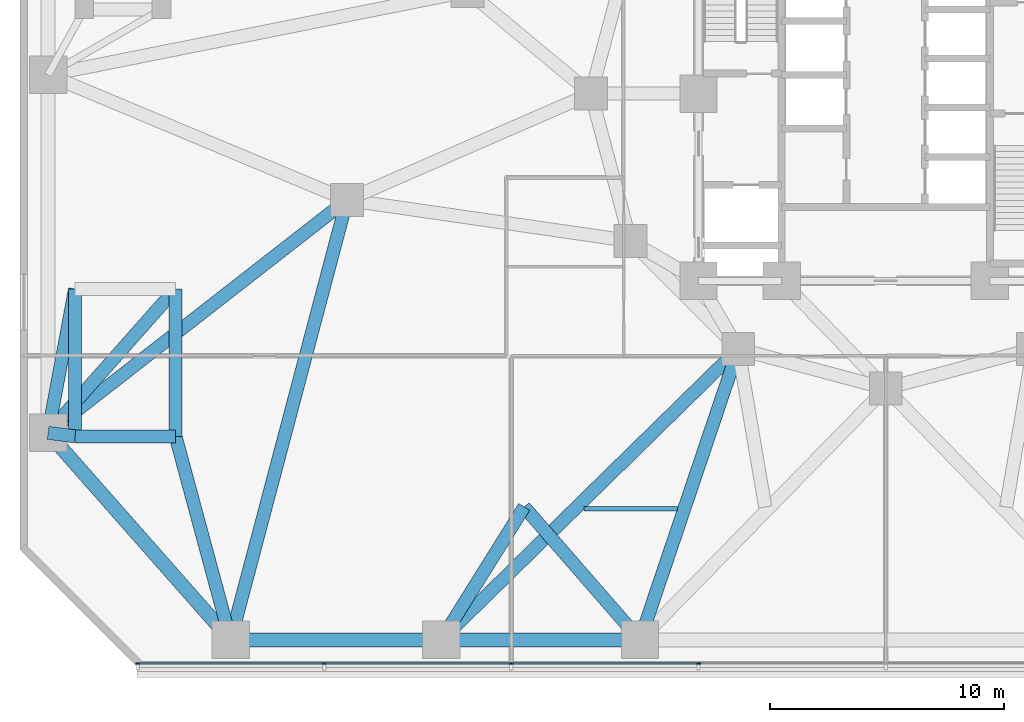
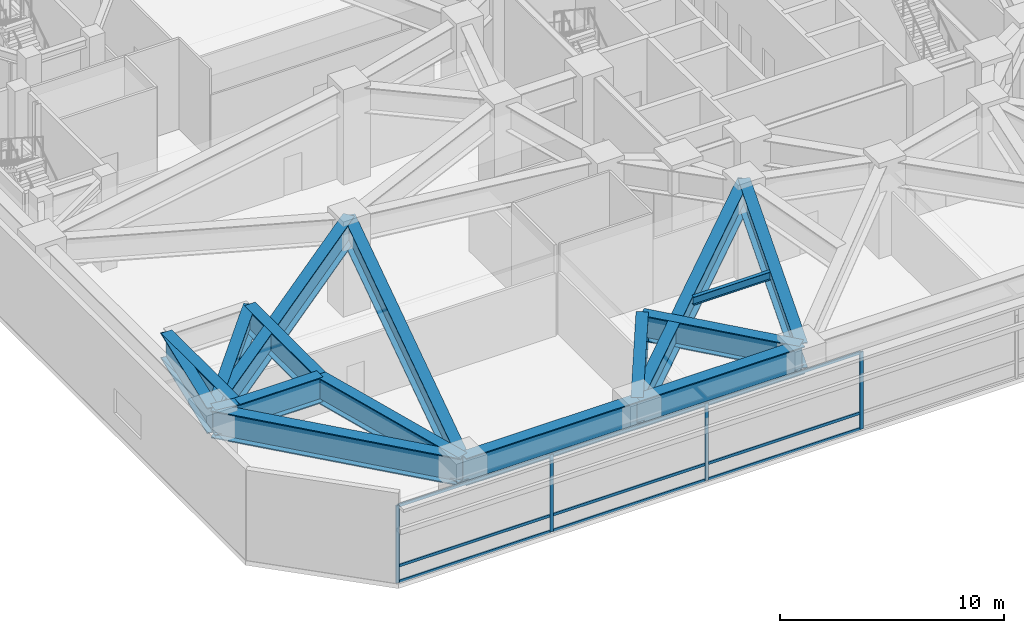
# One storey, part 5 of 27: 17 beams, 13 members, 1 element without a shape of its own.
"""IFC4 building model written with IfcOpenShell, lengths in metres."""

from ifc_helpers import new_model, si_unit, direction, frame, origin, origin_2d, place, context, subcontext, project, spatial, rectangle, i_section, extrude, material, layer, layer_set, material_profile, profile_set, type_object, element, aggregate, save


model = new_model("IFC4")

# Units and contexts
model_context = context("Model", 3, precision=1e-05, world=origin(), true_north=direction((0.0, 1.0)))
body_context = subcontext(model_context, "Body", "Model", "MODEL_VIEW")
ifc_project = project(units=[si_unit("LENGTHUNIT", "METRE"), si_unit("AREAUNIT", "SQUARE_METRE"), si_unit("VOLUMEUNIT", "CUBIC_METRE"), si_unit("PLANEANGLEUNIT", "RADIAN"), si_unit("MASSUNIT", "GRAM", prefix="KILO")], contexts=[model_context])

# Site, building, storey
site_placement = place(None, origin())
site = spatial("IfcSite", under=ifc_project, at=site_placement, CompositionType="ELEMENT")
building_placement = place(site_placement, origin())
building = spatial("IfcBuilding", under=site, at=building_placement, Name="Terralouvre Media Tower", CompositionType="ELEMENT")
storey_placement = place(building_placement, frame((0.0, 0.0, 20.800048828125)))
storey = spatial("IfcBuildingStorey", under=building, at=storey_placement, Name="L04", CompositionType="ELEMENT", Elevation=20.800048828125)

# Beam
ifc_material_1 = material(Name="Structural steel S355J2", Category="steel")
ifc_material_profile_1 = material_profile(ifc_material_1, i_section(OverallWidth=0.18994140625, OverallDepth=0.449951171875, WebThickness=0.009521484375, FlangeThickness=0.0146484375, at=origin_2d()), Name="IPE 450")
ifc_profile_set_1 = profile_set([ifc_material_profile_1], Name="Structural steel S355J2")
beam_type_1 = type_object("IfcBeamType", Name="Composite Floor Joist J-IPE450 (IPE 450)", PredefinedType="JOIST", material=ifc_profile_set_1)
beam_1_placement = place(storey_placement, frame((-12.88671875, -17.7529296875, 4.71484375), z_axis=(1.0, 0.0, 0.0), x_axis=(0.0, 1.0, 0.0)))
element("IfcBeam", 1, at=beam_1_placement, inside=storey, type_object=beam_type_1, Name="L04 Framing Beam JT-L04-03", PredefinedType="JOIST", context=body_context, shape_type="SweptSolid", body=[
    extrude(i_section(OverallWidth=0.18994140625, OverallDepth=0.449951171875, WebThickness=0.009521484375, FlangeThickness=0.0146484375, at=origin_2d()), origin(), (0.0, 0.0, 1.0), 3.983154296875),
])

# Curtain wall, members
ifc_material_2 = material(Name="Low-iron laminated double glazing with solar-control coating", Category="glass")
ifc_layer = layer(ifc_material_2, 0.1650390625, Name="Podium Broadcast Gallery Glazing CW-01")
ifc_layer_set = layer_set([ifc_layer], Name="Low-iron laminated double glazing with solar-control coating")
curtain_wall_type = type_object("IfcCurtainWallType", Name="Podium Broadcast Gallery Glazing CW-01", PredefinedType="NOTDEFINED", material=ifc_layer_set)
curtain_wall_placement = place(storey_placement, origin())
curtain_wall = element("IfcCurtainWall", 2, at=curtain_wall_placement, inside=storey, type_object=curtain_wall_type, Name="L04 Podium Curtain Wall F0", PredefinedType="NOTDEFINED")
ifc_material_3 = material(Name="Anodised extruded aluminium 6063-T6", Category="aluminium")
ifc_material_profile_2 = material_profile(ifc_material_3, rectangle(XDim=0.074951171875, YDim=0.14990234375, at=origin_2d()), Name="ALU 75x150")
ifc_profile_set_2 = profile_set([ifc_material_profile_2], Name="Anodised extruded aluminium 6063-T6")
member_type_1 = type_object("IfcMemberType", Name="Curtain-Wall Horizontal Transom TR-150", PredefinedType="USERDEFINED", material=ifc_profile_set_2)
member_1_placement = place(storey_placement, frame((-31.925048828125, -24.360107421875, 0.037353515625), z_axis=(1.0, 0.0, 0.0), x_axis=(0.0, 1.0, 0.0)))
member_1 = element("IfcMember", 3, at=member_1_placement, type_object=member_type_1, Name="CW-01 transom 1.1", ObjectType="TRANSOM", PredefinedType="USERDEFINED", context=body_context, shape_type="SweptSolid", body=[
    extrude(rectangle(XDim=0.074951171875, YDim=0.14990234375, at=origin_2d()), origin(), (0.0, 0.0, 1.0), 7.887451171875),
])
member_2_placement = place(storey_placement, frame((-31.925048828125, -24.360107421875, 0.89990234375), z_axis=(1.0, 0.0, 0.0), x_axis=(0.0, 1.0, 0.0)))
member_2 = element("IfcMember", 4, at=member_2_placement, type_object=member_type_1, Name="CW-01 transom 1.2", ObjectType="TRANSOM", PredefinedType="USERDEFINED", context=body_context, shape_type="SweptSolid", body=[
    extrude(rectangle(XDim=0.074951171875, YDim=0.14990234375, at=origin_2d()), origin(), (0.0, 0.0, 1.0), 7.887451171875),
])
member_3_placement = place(storey_placement, frame((-31.925048828125, -24.360107421875, 4.182373046875), z_axis=(1.0, 0.0, 0.0), x_axis=(0.0, 1.0, 0.0)))
member_3 = element("IfcMember", 5, at=member_3_placement, type_object=member_type_1, Name="CW-01 transom 1.3", ObjectType="TRANSOM", PredefinedType="USERDEFINED", context=body_context, shape_type="SweptSolid", body=[
    extrude(rectangle(XDim=0.074951171875, YDim=0.14990234375, at=origin_2d()), origin(), (0.0, 0.0, 1.0), 7.887451171875),
])
member_4_placement = place(storey_placement, frame((-23.96240234375, -24.360107421875, 0.037353515625), z_axis=(1.0, 0.0, 0.0), x_axis=(0.0, 1.0, 0.0)))
member_4 = element("IfcMember", 6, at=member_4_placement, type_object=member_type_1, Name="CW-01 transom 2.1", ObjectType="TRANSOM", PredefinedType="USERDEFINED", context=body_context, shape_type="SweptSolid", body=[
    extrude(rectangle(XDim=0.074951171875, YDim=0.14990234375, at=origin_2d()), origin(), (0.0, 0.0, 1.0), 7.9248046875),
])
member_5_placement = place(storey_placement, frame((-23.96240234375, -24.360107421875, 0.89990234375), z_axis=(1.0, 0.0, 0.0), x_axis=(0.0, 1.0, 0.0)))
member_5 = element("IfcMember", 7, at=member_5_placement, type_object=member_type_1, Name="CW-01 transom 2.2", ObjectType="TRANSOM", PredefinedType="USERDEFINED", context=body_context, shape_type="SweptSolid", body=[
    extrude(rectangle(XDim=0.074951171875, YDim=0.14990234375, at=origin_2d()), origin(), (0.0, 0.0, 1.0), 7.9248046875),
])
member_6_placement = place(storey_placement, frame((-23.96240234375, -24.360107421875, 4.182373046875), z_axis=(1.0, 0.0, 0.0), x_axis=(0.0, 1.0, 0.0)))
member_6 = element("IfcMember", 8, at=member_6_placement, type_object=member_type_1, Name="CW-01 transom 2.3", ObjectType="TRANSOM", PredefinedType="USERDEFINED", context=body_context, shape_type="SweptSolid", body=[
    extrude(rectangle(XDim=0.074951171875, YDim=0.14990234375, at=origin_2d()), origin(), (0.0, 0.0, 1.0), 7.9248046875),
])
member_7_placement = place(storey_placement, frame((-15.96240234375, -24.360107421875, 0.037353515625), z_axis=(1.0, 0.0, 0.0), x_axis=(0.0, 1.0, 0.0)))
member_7 = element("IfcMember", 9, at=member_7_placement, type_object=member_type_1, Name="CW-01 transom 3.1", ObjectType="TRANSOM", PredefinedType="USERDEFINED", context=body_context, shape_type="SweptSolid", body=[
    extrude(rectangle(XDim=0.074951171875, YDim=0.14990234375, at=origin_2d()), origin(), (0.0, 0.0, 1.0), 7.9248046875),
])
member_8_placement = place(storey_placement, frame((-15.96240234375, -24.360107421875, 0.89990234375), z_axis=(1.0, 0.0, 0.0), x_axis=(0.0, 1.0, 0.0)))
member_8 = element("IfcMember", 10, at=member_8_placement, type_object=member_type_1, Name="CW-01 transom 3.2", ObjectType="TRANSOM", PredefinedType="USERDEFINED", context=body_context, shape_type="SweptSolid", body=[
    extrude(rectangle(XDim=0.074951171875, YDim=0.14990234375, at=origin_2d()), origin(), (0.0, 0.0, 1.0), 7.9248046875),
])
member_9_placement = place(storey_placement, frame((-15.96240234375, -24.360107421875, 4.182373046875), z_axis=(1.0, 0.0, 0.0), x_axis=(0.0, 1.0, 0.0)))
member_9 = element("IfcMember", 11, at=member_9_placement, type_object=member_type_1, Name="CW-01 transom 3.3", ObjectType="TRANSOM", PredefinedType="USERDEFINED", context=body_context, shape_type="SweptSolid", body=[
    extrude(rectangle(XDim=0.074951171875, YDim=0.14990234375, at=origin_2d()), origin(), (0.0, 0.0, 1.0), 7.9248046875),
])
ifc_material_4 = material(Name="Anodised extruded aluminium 6063-T6", Category="aluminium")
ifc_material_profile_3 = material_profile(ifc_material_4, rectangle(XDim=0.074951171875, YDim=0.179931640625, at=origin_2d()), Name="ALU 75x180")
ifc_profile_set_3 = profile_set([ifc_material_profile_3], Name="Anodised extruded aluminium 6063-T6")
member_type_2 = type_object("IfcMemberType", Name="Curtain-Wall Vertical Mullion ML-180", PredefinedType="MULLION", material=ifc_profile_set_3)
member_10_placement = place(storey_placement, frame((-31.96240234375, -24.360107421875, 0.0), z_axis=(0.0, 0.0, 1.0), x_axis=(0.0, 1.0, 0.0)))
member_10 = element("IfcMember", 12, at=member_10_placement, type_object=member_type_2, Name="CW-01 mullion 1", PredefinedType="MULLION", context=body_context, shape_type="SweptSolid", body=[
    extrude(rectangle(XDim=0.074951171875, YDim=0.179931640625, at=origin_2d()), origin(), (0.0, 0.0, 1.0), 4.219970703125),
])
member_11_placement = place(storey_placement, frame((-24.0, -24.360107421875, 0.0), z_axis=(0.0, 0.0, 1.0), x_axis=(0.0, 1.0, 0.0)))
member_11 = element("IfcMember", 13, at=member_11_placement, type_object=member_type_2, Name="CW-01 mullion 2", PredefinedType="MULLION", context=body_context, shape_type="SweptSolid", body=[
    extrude(rectangle(XDim=0.074951171875, YDim=0.179931640625, at=origin_2d()), origin(), (0.0, 0.0, 1.0), 4.219970703125),
])
member_12_placement = place(storey_placement, frame((-16.0, -24.360107421875, 0.0), z_axis=(0.0, 0.0, 1.0), x_axis=(0.0, 1.0, 0.0)))
member_12 = element("IfcMember", 14, at=member_12_placement, type_object=member_type_2, Name="CW-01 mullion 3", PredefinedType="MULLION", context=body_context, shape_type="SweptSolid", body=[
    extrude(rectangle(XDim=0.074951171875, YDim=0.179931640625, at=origin_2d()), origin(), (0.0, 0.0, 1.0), 4.219970703125),
])
member_13_placement = place(storey_placement, frame((-8.0, -24.360107421875, 0.0), z_axis=(0.0, 0.0, 1.0), x_axis=(0.0, 1.0, 0.0)))
member_13 = element("IfcMember", 15, at=member_13_placement, type_object=member_type_2, Name="CW-01 mullion 4", PredefinedType="MULLION", context=body_context, shape_type="SweptSolid", body=[
    extrude(rectangle(XDim=0.074951171875, YDim=0.179931640625, at=origin_2d()), origin(), (0.0, 0.0, 1.0), 4.219970703125),
])
aggregate(curtain_wall, [member_10, member_11, member_12, member_13, member_1, member_2, member_3, member_4, member_5, member_6, member_7, member_8, member_9])

# Beams
ifc_material_5 = material(Name="Structural steel S460M", Category="steel")
ifc_material_profile_4 = material_profile(ifc_material_5, i_section(OverallWidth=0.56005859375, OverallDepth=1.39990234375, WebThickness=0.031982421875, FlangeThickness=0.050048828125, at=origin_2d()), Name="TG 1400x560")
ifc_profile_set_4 = profile_set([ifc_material_profile_4], Name="Structural steel S460M")
beam_type_2 = type_object("IfcBeamType", Name="Welded Transfer Girder TG-1400 (TG 1400x560)", PredefinedType="USERDEFINED", material=ifc_profile_set_4)
beam_2_placement = place(storey_placement, frame((-23.02490234375, -4.546630859375, 4.239990234375), z_axis=(-0.788838921833, -0.614599996259, 0.0), x_axis=(0.614599996259, -0.788838921833, 0.0)))
element("IfcBeam", 16, at=beam_2_placement, inside=storey, type_object=beam_type_2, Name="L04 Framing Beam BM-L04-RD01", ObjectType="TRANSFER GIRDER", PredefinedType="USERDEFINED", context=body_context, shape_type="SweptSolid", body=[
    extrude(i_section(OverallWidth=0.56005859375, OverallDepth=1.39990234375, WebThickness=0.031982421875, FlangeThickness=0.050048828125, at=origin_2d()), origin(), (0.0, 0.0, 1.0), 16.19482421875),
])
beam_3_placement = place(storey_placement, frame((-23.02490234375, -4.546630859375, 4.239990234375), z_axis=(-0.25578250381, -0.966734353762, 0.0), x_axis=(0.966734353762, -0.25578250381, 0.0)))
element("IfcBeam", 17, at=beam_3_placement, inside=storey, type_object=beam_type_2, Name="L04 Framing Beam BM-L04-RD02", ObjectType="TRANSFER GIRDER", PredefinedType="USERDEFINED", context=body_context, shape_type="SweptSolid", body=[
    extrude(i_section(OverallWidth=0.56005859375, OverallDepth=1.39990234375, WebThickness=0.031982421875, FlangeThickness=0.050048828125, at=origin_2d()), origin(), (0.0, 0.0, 1.0), 19.450439453125),
])
beam_4_placement = place(storey_placement, frame((-6.300048828125, -10.911865234375, 4.239990234375), z_axis=(-0.714429895313, -0.69970702775, 0.0), x_axis=(0.69970702775, -0.714429895313, 0.0)))
element("IfcBeam", 18, at=beam_4_placement, inside=storey, type_object=beam_type_2, Name="L04 Framing Beam BM-L04-RD03", ObjectType="TRANSFER GIRDER", PredefinedType="USERDEFINED", context=body_context, shape_type="SweptSolid", body=[
    extrude(i_section(OverallWidth=0.56005859375, OverallDepth=1.39990234375, WebThickness=0.031982421875, FlangeThickness=0.050048828125, at=origin_2d()), origin(), (0.0, 0.0, 1.0), 17.7763671875),
])
beam_5_placement = place(storey_placement, frame((-6.300048828125, -10.911865234375, 4.239990234375), z_axis=(-0.319918670086, -0.947445008711, 0.0), x_axis=(0.947445008711, -0.319918670086, 0.0)))
element("IfcBeam", 19, at=beam_5_placement, inside=storey, type_object=beam_type_2, Name="L04 Framing Beam BM-L04-RD04", ObjectType="TRANSFER GIRDER", PredefinedType="USERDEFINED", context=body_context, shape_type="SweptSolid", body=[
    extrude(i_section(OverallWidth=0.56005859375, OverallDepth=1.39990234375, WebThickness=0.031982421875, FlangeThickness=0.050048828125, at=origin_2d()), origin(), (0.0, 0.0, 1.0), 13.128173828125),
])
beam_6_placement = place(storey_placement, frame((-15.449951171875, -17.666748046875, 4.239990234375), z_axis=(-0.529779502539, -0.848135412944, 0.0), x_axis=(0.848135412944, -0.529779502539, 0.0)))
element("IfcBeam", 20, at=beam_6_placement, inside=storey, type_object=beam_type_2, Name="L04 Framing Beam BM-L04-TR01S1", ObjectType="TRANSFER GIRDER", PredefinedType="USERDEFINED", context=body_context, shape_type="SweptSolid", body=[
    extrude(i_section(OverallWidth=0.56005859375, OverallDepth=1.39990234375, WebThickness=0.031982421875, FlangeThickness=0.050048828125, at=origin_2d()), origin(), (0.0, 0.0, 1.0), 6.700927734375),
])
beam_7_placement = place(storey_placement, frame((-15.449951171875, -17.666748046875, 4.239990234375), z_axis=(0.656775991205, -0.754085736092, 0.0), x_axis=(0.754085736092, 0.656775991205, 0.0)))
element("IfcBeam", 21, at=beam_7_placement, inside=storey, type_object=beam_type_2, Name="L04 Framing Beam BM-L04-TR01S2", ObjectType="TRANSFER GIRDER", PredefinedType="USERDEFINED", context=body_context, shape_type="SweptSolid", body=[
    extrude(i_section(OverallWidth=0.56005859375, OverallDepth=1.39990234375, WebThickness=0.031982421875, FlangeThickness=0.050048828125, at=origin_2d()), origin(), (0.0, 0.0, 1.0), 7.53662109375),
])
beam_8_placement = place(storey_placement, frame((-34.64990234375, -14.64990234375, 4.239990234375), z_axis=(-0.991613317276, 0.129240198855, 0.0), x_axis=(-0.129240198855, -0.991613317276, 0.0)))
element("IfcBeam", 22, at=beam_8_placement, inside=storey, type_object=beam_type_2, Name="L04 Framing Beam BM-L04-TR09F1", ObjectType="TRANSFER GIRDER", PredefinedType="USERDEFINED", context=body_context, shape_type="SweptSolid", body=[
    extrude(i_section(OverallWidth=0.56005859375, OverallDepth=1.39990234375, WebThickness=0.031982421875, FlangeThickness=0.050048828125, at=origin_2d()), origin(), (0.0, 0.0, 1.0), 1.159912109375),
])
beam_9_placement = place(storey_placement, frame((-30.35009765625, -14.64990234375, 4.239990234375), z_axis=(0.260773920078, -0.965399897766, 0.0), x_axis=(0.965399897766, 0.260773920078, 0.0)))
element("IfcBeam", 23, at=beam_9_placement, inside=storey, type_object=beam_type_2, Name="L04 Framing Beam BM-L04-TR10F1", ObjectType="TRANSFER GIRDER", PredefinedType="USERDEFINED", context=body_context, shape_type="SweptSolid", body=[
    extrude(i_section(OverallWidth=0.56005859375, OverallDepth=1.39990234375, WebThickness=0.031982421875, FlangeThickness=0.050048828125, at=origin_2d()), origin(), (0.0, 0.0, 1.0), 9.011962890625),
])
beam_10_placement = place(storey_placement, frame((-30.35009765625, -8.35009765625, 4.239990234375), z_axis=(-0.663232636861, -0.748413301193, 0.0), x_axis=(0.748413301193, -0.663232636861, 0.0)))
element("IfcBeam", 24, at=beam_10_placement, inside=storey, type_object=beam_type_2, Name="L04 Framing Beam BM-L04-TR11F1", ObjectType="TRANSFER GIRDER", PredefinedType="USERDEFINED", context=body_context, shape_type="SweptSolid", body=[
    extrude(i_section(OverallWidth=0.56005859375, OverallDepth=1.39990234375, WebThickness=0.031982421875, FlangeThickness=0.050048828125, at=origin_2d()), origin(), (0.0, 0.0, 1.0), 8.21728515625),
])
beam_11_placement = place(storey_placement, frame((-34.64990234375, -8.35009765625, 4.239990234375), z_axis=(-0.183831445314, -0.982957781247, 0.0), x_axis=(0.982957781247, -0.183831445314, 0.0)))
element("IfcBeam", 25, at=beam_11_placement, inside=storey, type_object=beam_type_2, Name="L04 Framing Beam BM-L04-TR12S1", ObjectType="TRANSFER GIRDER", PredefinedType="USERDEFINED", context=body_context, shape_type="SweptSolid", body=[
    extrude(i_section(OverallWidth=0.56005859375, OverallDepth=1.39990234375, WebThickness=0.031982421875, FlangeThickness=0.050048828125, at=origin_2d()), origin(), (0.0, 0.0, 1.0), 6.256591796875),
])
beam_12_placement = place(storey_placement, frame((-34.64990234375, -14.64990234375, 4.239990234375), z_axis=(1.0, 0.0, 0.0), x_axis=(0.0, 1.0, 0.0)))
element("IfcBeam", 26, at=beam_12_placement, inside=storey, type_object=beam_type_2, Name="L04 Framing Beam BM-L04-PVR01", ObjectType="TRANSFER GIRDER", PredefinedType="USERDEFINED", context=body_context, shape_type="SweptSolid", body=[
    extrude(i_section(OverallWidth=0.56005859375, OverallDepth=1.39990234375, WebThickness=0.031982421875, FlangeThickness=0.050048828125, at=origin_2d()), origin(), (0.0, 0.0, 1.0), 4.2998046875),
])
for number, where, z_axis, x_axis, name in (
    (27, (-30.35009765625, -14.64990234375, 4.239990234375), (0.0, 1.0, 0.0), (-1.0, 0.0, 0.0), "L04 Framing Beam BM-L04-PVR02"),
    (28, (-34.64990234375, -8.35009765625, 4.239990234375), (0.0, -1.0, 0.0), (1.0, 0.0, 0.0), "L04 Framing Beam BM-L04-PVR04"),
):
    element("IfcBeam", number, at=place(storey_placement, frame(where, z_axis=z_axis, x_axis=x_axis)), inside=storey, type_object=beam_type_2, Name=name, ObjectType="TRANSFER GIRDER", PredefinedType="USERDEFINED", context=body_context, shape_type="SweptSolid", body=[
        extrude(i_section(OverallWidth=0.56005859375, OverallDepth=1.39990234375, WebThickness=0.031982421875, FlangeThickness=0.050048828125, at=origin_2d()), origin(), (0.0, 0.0, 1.0), 6.2998046875),
    ])
ifc_material_6 = material(Name="Structural steel S460M", Category="steel")
ifc_material_profile_5 = material_profile(ifc_material_6, i_section(OverallWidth=0.60009765625, OverallDepth=1.5, WebThickness=0.033935546875, FlangeThickness=0.054931640625, at=origin_2d()), Name="PG 1500x600")
ifc_profile_set_5 = profile_set([ifc_material_profile_5], Name="Structural steel S460M")
beam_type_3 = type_object("IfcBeamType", Name="Welded Transfer Girder TG-1500 (PG 1500x600)", PredefinedType="USERDEFINED", material=ifc_profile_set_5)
beam_13_placement = place(storey_placement, frame((-35.800048828125, -14.5, 4.18994140625), z_axis=(0.661199207896, -0.75021037548, 0.0), x_axis=(0.75021037548, 0.661199207896, 0.0)))
element("IfcBeam", 29, at=beam_13_placement, inside=storey, type_object=beam_type_3, Name="L04 Framing Beam BM-L04-PR01", ObjectType="TRANSFER GIRDER", PredefinedType="USERDEFINED", context=body_context, shape_type="SweptSolid", body=[
    extrude(i_section(OverallWidth=0.60009765625, OverallDepth=1.5, WebThickness=0.033935546875, FlangeThickness=0.054931640625, at=origin_2d()), origin(), (0.0, 0.0, 1.0), 11.796875),
])
beam_14_placement = place(storey_placement, frame((-28.0, -23.35009765625, 4.18994140625), z_axis=(1.0, 0.0, 0.0), x_axis=(0.0, 1.0, 0.0)))
element("IfcBeam", 30, at=beam_14_placement, inside=storey, type_object=beam_type_3, Name="L04 Framing Beam BM-L04-PR02", ObjectType="TRANSFER GIRDER", PredefinedType="USERDEFINED", context=body_context, shape_type="SweptSolid", body=[
    extrude(i_section(OverallWidth=0.60009765625, OverallDepth=1.5, WebThickness=0.033935546875, FlangeThickness=0.054931640625, at=origin_2d()), origin(), (0.0, 0.0, 1.0), 9.0),
])
beam_15_placement = place(storey_placement, frame((-19.0, -23.35009765625, 4.18994140625), z_axis=(1.0, 0.0, 0.0), x_axis=(0.0, 1.0, 0.0)))
element("IfcBeam", 31, at=beam_15_placement, inside=storey, type_object=beam_type_3, Name="L04 Framing Beam BM-L04-PR03", ObjectType="TRANSFER GIRDER", PredefinedType="USERDEFINED", context=body_context, shape_type="SweptSolid", body=[
    extrude(i_section(OverallWidth=0.60009765625, OverallDepth=1.5, WebThickness=0.033935546875, FlangeThickness=0.054931640625, at=origin_2d()), origin(), (0.0, 0.0, 1.0), 8.5),
])

save(model, "model.ifc")
